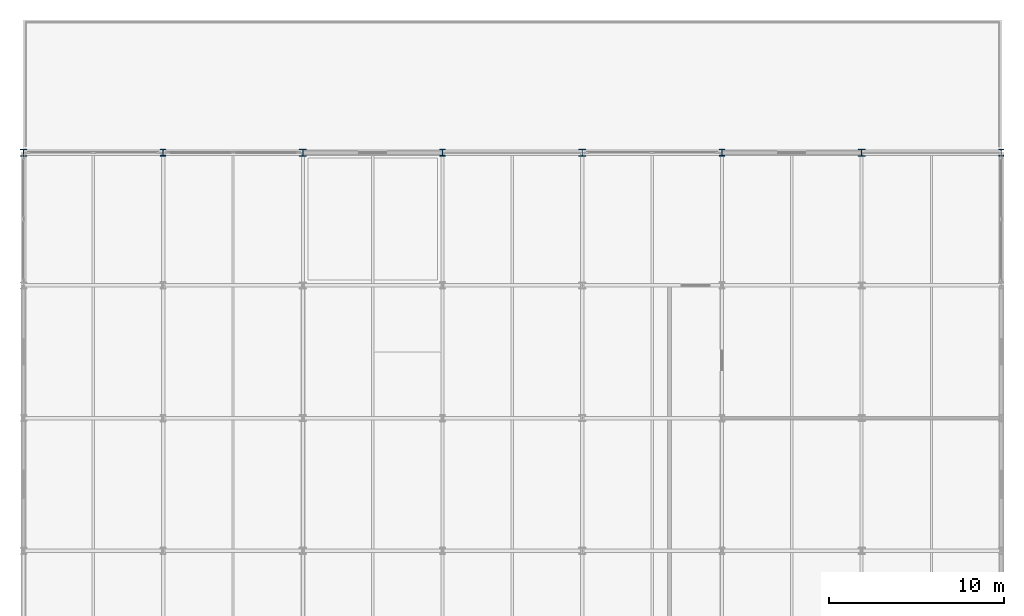
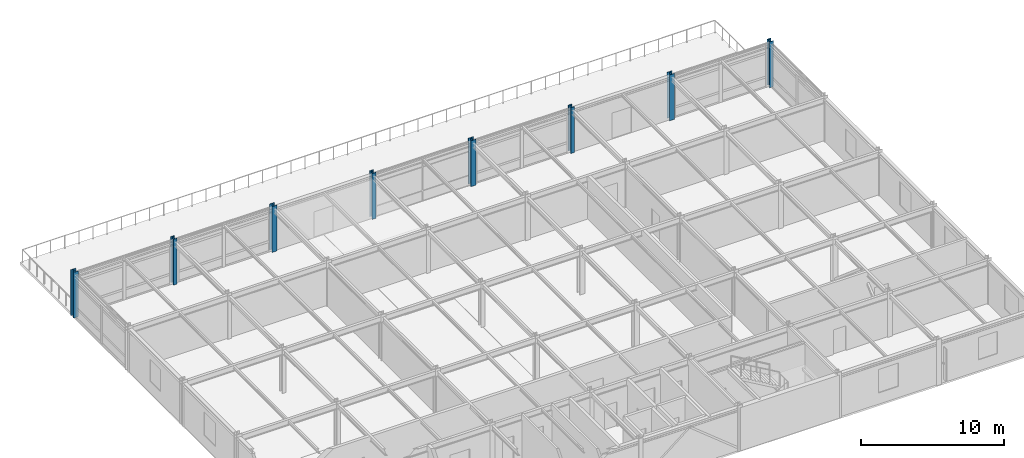
# One storey, part 3 of 17: 8 columns.
"""IFC4 building model written with IfcOpenShell, lengths in metres."""

from ifc_helpers import new_model, si_unit, direction, frame, origin, origin_2d, place, context, subcontext, project, spatial, i_section, extrude, material, material_profile, profile_set, type_object, element, save


model = new_model("IFC4")

# Units and contexts
model_context = context("Model", 3, precision=1e-05, world=origin(), true_north=direction((0.0, 1.0)))
body_context = subcontext(model_context, "Body", "Model", "MODEL_VIEW")
ifc_project = project(units=[si_unit("LENGTHUNIT", "METRE"), si_unit("AREAUNIT", "SQUARE_METRE"), si_unit("VOLUMEUNIT", "CUBIC_METRE"), si_unit("PLANEANGLEUNIT", "RADIAN"), si_unit("MASSUNIT", "GRAM", prefix="KILO")], contexts=[model_context])

# Site, building, storey
site_placement = place(None, origin())
site = spatial("IfcSite", under=ifc_project, at=site_placement, CompositionType="ELEMENT")
building_placement = place(site_placement, origin())
building = spatial("IfcBuilding", under=site, at=building_placement, Name="Shalkamar Park Central Library", CompositionType="ELEMENT")
storey_placement = place(building_placement, frame((0.0, 0.0, 36.0)))
storey = spatial("IfcBuildingStorey", under=building, at=storey_placement, Name="L09", CompositionType="ELEMENT", Elevation=36.0)

# Columns
ifc_material = material(Name="Steel S355", Category="steel")
ifc_material_profile_1 = material_profile(ifc_material, i_section(OverallWidth=0.39794921875, OverallDepth=0.386962890625, WebThickness=0.02099609375, FlangeThickness=0.033203125, FilletRadius=0.014892578125, at=origin_2d()), Name="HD 400x262")
ifc_profile_set_1 = profile_set([ifc_material_profile_1], Name="Steel S355")
column_type_1 = type_object("IfcColumnType", Name="Column Steel HD400x262", PredefinedType="COLUMN", material=ifc_profile_set_1)
for number, where, z_axis, x_axis, name in (
    (1, (165.0, 285.60009765625, 0.0), (0.0, 0.0, 1.0), (1.0, 0.0, 0.0), "Column 07/G (L09)"),
    (2, (181.0, 285.60009765625, 0.0), (0.0, 0.0, 1.0), (1.0, 0.0, 0.0), "Column 09/G (L09)"),
    (3, (197.0, 285.60009765625, 0.0), (0.0, 0.0, 1.0), (1.0, 0.0, 0.0), "Column 11/G (L09)"),
    (4, (213.0, 285.60009765625, 0.0), (0.0, 0.0, 1.0), (1.0, 0.0, 0.0), "Column 13/G (L09)"),
):
    element("IfcColumn", number, at=place(storey_placement, frame(where, z_axis=z_axis, x_axis=x_axis)), inside=storey, type_object=column_type_1, Name=name, PredefinedType="COLUMN", context=body_context, shape_type="SweptSolid", body=[
        extrude(i_section(OverallWidth=0.39794921875, OverallDepth=0.386962890625, WebThickness=0.02099609375, FlangeThickness=0.033203125, FilletRadius=0.014892578125, at=origin_2d()), origin(), (0.0, 0.0, 1.0), 3.89990234375),
    ])
ifc_material_profile_2 = material_profile(ifc_material, i_section(OverallWidth=0.30810546875, OverallDepth=0.39501953125, WebThickness=0.02099609375, FlangeThickness=0.0400390625, FilletRadius=0.027099609375, at=origin_2d()), Name="HEM 360")
ifc_profile_set_2 = profile_set([ifc_material_profile_2], Name="Steel S355")
column_type_2 = type_object("IfcColumnType", Name="Column Steel HEM360", PredefinedType="COLUMN", material=ifc_profile_set_2)
for number, where, z_axis, x_axis, name in (
    (5, (173.0, 285.60009765625, 0.0), (0.0, 0.0, 1.0), (1.0, 0.0, 0.0), "Column 08/G (L09)"),
    (6, (189.0, 285.60009765625, 0.0), (0.0, 0.0, 1.0), (1.0, 0.0, 0.0), "Column 10/G (L09)"),
    (7, (205.0, 285.60009765625, 0.0), (0.0, 0.0, 1.0), (1.0, 0.0, 0.0), "Column 12/G (L09)"),
    (8, (221.0, 285.60009765625, 0.0), (0.0, 0.0, 1.0), (1.0, 0.0, 0.0), "Column 14/G (L09)"),
):
    element("IfcColumn", number, at=place(storey_placement, frame(where, z_axis=z_axis, x_axis=x_axis)), inside=storey, type_object=column_type_2, Name=name, PredefinedType="COLUMN", context=body_context, shape_type="SweptSolid", body=[
        extrude(i_section(OverallWidth=0.30810546875, OverallDepth=0.39501953125, WebThickness=0.02099609375, FlangeThickness=0.0400390625, FilletRadius=0.027099609375, at=origin_2d()), origin(), (0.0, 0.0, 1.0), 3.89990234375),
    ])

save(model, "model.ifc")
